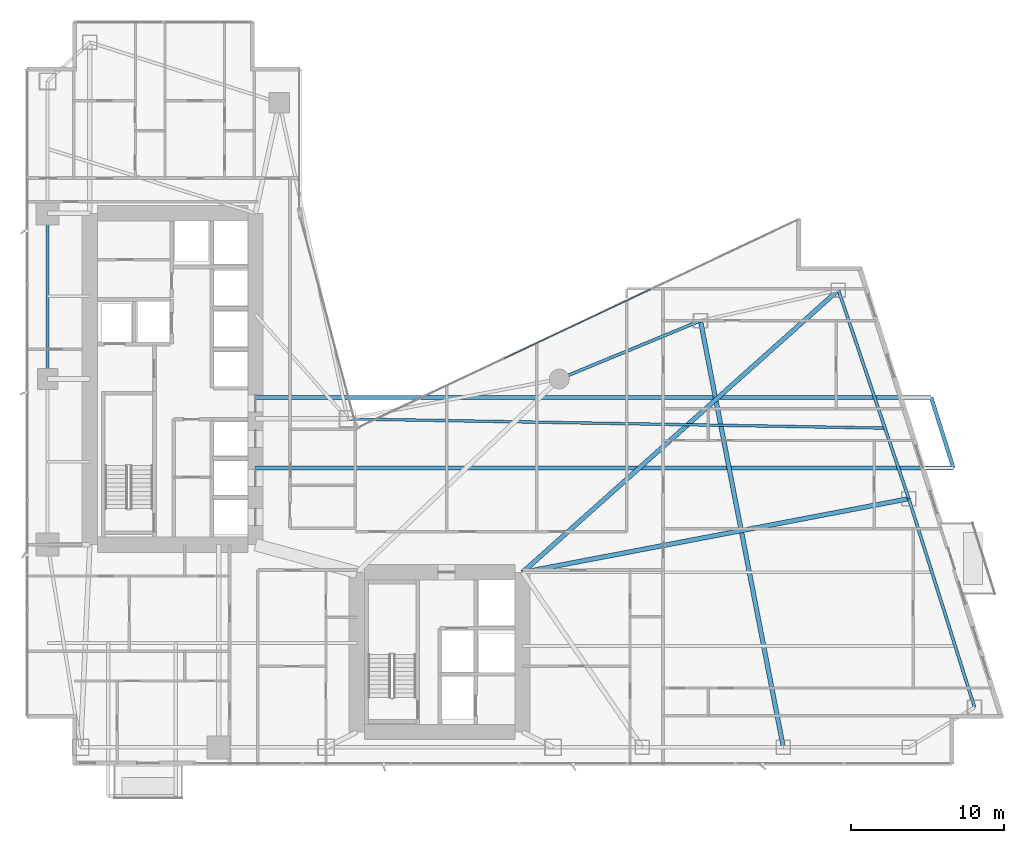
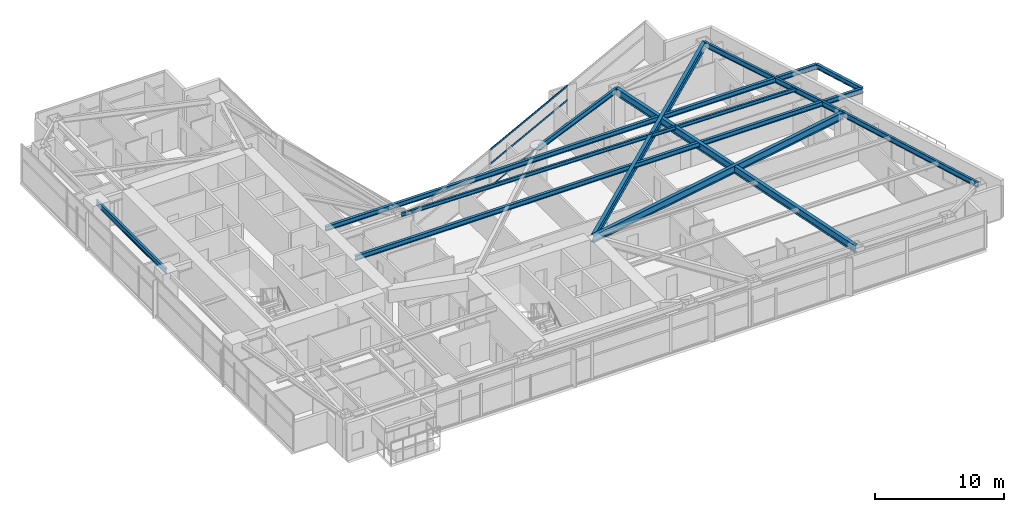
# One storey, part 15 of 29: 11 beams, 3 members, 1 element without a shape of its own.
"""IFC4 building model written with IfcOpenShell, lengths in metres."""

from ifc_helpers import new_model, si_unit, direction, frame, origin, origin_2d, place, context, subcontext, project, spatial, hollow_rectangle, i_section, extrude, material, layer, layer_set, material_profile, profile_set, type_object, element, aggregate, save


model = new_model("IFC4")

# Units and contexts
model_context = context("Model", 3, precision=1e-05, world=origin(), true_north=direction((0.0, 1.0)))
body_context = subcontext(model_context, "Body", "Model", "MODEL_VIEW")
ifc_project = project(units=[si_unit("LENGTHUNIT", "METRE"), si_unit("AREAUNIT", "SQUARE_METRE"), si_unit("VOLUMEUNIT", "CUBIC_METRE"), si_unit("PLANEANGLEUNIT", "RADIAN"), si_unit("MASSUNIT", "GRAM", prefix="KILO")], contexts=[model_context])

# Site, building, storey
site_placement = place(None, origin())
site = spatial("IfcSite", under=ifc_project, at=site_placement, CompositionType="ELEMENT")
building_placement = place(site_placement, origin())
building = spatial("IfcBuilding", under=site, at=building_placement, Name="Calvorn Quay Hotel", CompositionType="ELEMENT")
storey_placement = place(building_placement, frame((0.0, 0.0, 62.199951171875)))
storey = spatial("IfcBuildingStorey", under=building, at=storey_placement, Name="L14", CompositionType="ELEMENT", Elevation=62.199951171875)

# Beams
ifc_material_1 = material(Name="Steel Q355B", Category="steel")
ifc_material_profile_1 = material_profile(ifc_material_1, i_section(OverallWidth=0.25, OverallDepth=0.449951171875, WebThickness=0.011962890625, FlangeThickness=0.01611328125, FilletRadius=0.01611328125, at=origin_2d()), Name="HN450x250x12x16")
ifc_profile_set_1 = profile_set([ifc_material_profile_1], Name="Steel Q355B")
beam_type_1 = type_object("IfcBeamType", Name="BM-CANT-BALC", PredefinedType="BEAM", material=ifc_profile_set_1)
beam_1_placement = place(storey_placement, frame((15.0, 21.800048828125, 3.31494140625), z_axis=(1.0, 0.0, 0.0), x_axis=(0.0, 1.0, 0.0)))
element("IfcBeam", 1, at=beam_1_placement, inside=storey, type_object=beam_type_1, Name="Cantilever Balcony Beam BCB-L15-1A", PredefinedType="BEAM", context=body_context, shape_type="SweptSolid", body=[
    extrude(i_section(OverallWidth=0.25, OverallDepth=0.449951171875, WebThickness=0.011962890625, FlangeThickness=0.01611328125, FilletRadius=0.01611328125, at=origin_2d()), origin(), (0.0, 0.0, 1.0), 45.486083984375),
])
beam_2_placement = place(storey_placement, frame((15.0, 26.39990234375, 3.31494140625), z_axis=(1.0, 0.0, 0.0), x_axis=(0.0, 1.0, 0.0)))
element("IfcBeam", 2, at=beam_2_placement, inside=storey, type_object=beam_type_1, Name="Cantilever Balcony Beam BCB-L15-1B", PredefinedType="BEAM", context=body_context, shape_type="SweptSolid", body=[
    extrude(i_section(OverallWidth=0.25, OverallDepth=0.449951171875, WebThickness=0.011962890625, FlangeThickness=0.01611328125, FilletRadius=0.01611328125, at=origin_2d()), origin(), (0.0, 0.0, 1.0), 44.037109375),
])
beam_3_placement = place(storey_placement, frame((60.486083984375, 21.800048828125, 3.31494140625), z_axis=(-0.300450487966, 0.953797412599, 0.0), x_axis=(-0.953797412599, -0.300450487966, 0.0)))
element("IfcBeam", 3, at=beam_3_placement, inside=storey, type_object=beam_type_1, Name="Beam BCBO-L15-1", PredefinedType="BEAM", context=body_context, shape_type="SweptSolid", body=[
    extrude(i_section(OverallWidth=0.25, OverallDepth=0.449951171875, WebThickness=0.011962890625, FlangeThickness=0.01611328125, FilletRadius=0.01611328125, at=origin_2d()), origin(), (0.0, 0.0, 1.0), 4.82275390625),
])
ifc_material_2 = material(Name="Steel Q390GJC", Category="steel")
ifc_material_profile_2 = material_profile(ifc_material_2, i_section(OverallWidth=0.300048828125, OverallDepth=0.699951171875, WebThickness=0.012939453125, FlangeThickness=0.02392578125, FilletRadius=0.02392578125, at=origin_2d()), Name="HN700x300x13x24")
ifc_profile_set_2 = profile_set([ifc_material_profile_2], Name="Steel Q390GJC")
beam_type_2 = type_object("IfcBeamType", Name="BM-GIRD-MAIN", PredefinedType="BEAM", material=ifc_profile_set_2)
beam_4_placement = place(storey_placement, frame((32.39990234375, 15.0, 3.18994140625), z_axis=(0.982305450614, 0.18728588226, 0.0), x_axis=(-0.18728588226, 0.982305450614, 0.0)))
element("IfcBeam", 4, at=beam_4_placement, inside=storey, type_object=beam_type_2, Name="Beam BG-L14-E2", PredefinedType="BEAM", context=body_context, shape_type="SweptSolid", body=[
    extrude(i_section(OverallWidth=0.300048828125, OverallDepth=0.699951171875, WebThickness=0.012939453125, FlangeThickness=0.02392578125, FilletRadius=0.02392578125, at=origin_2d()), origin(), (0.0, 0.0, 1.0), 25.629638671875),
])
beam_5_placement = place(storey_placement, frame((32.39990234375, 15.0, 3.18994140625), z_axis=(0.745667316004, 0.666318432766, 0.0), x_axis=(-0.666318432766, 0.745667316004, 0.0)))
element("IfcBeam", 5, at=beam_5_placement, inside=storey, type_object=beam_type_2, Name="Beam BG-L14-E3", PredefinedType="BEAM", context=body_context, shape_type="SweptSolid", body=[
    extrude(i_section(OverallWidth=0.300048828125, OverallDepth=0.699951171875, WebThickness=0.012939453125, FlangeThickness=0.02392578125, FilletRadius=0.02392578125, at=origin_2d()), origin(), (0.0, 0.0, 1.0), 27.6142578125),
])
beam_6_placement = place(storey_placement, frame((49.39990234375, 3.60009765625, 3.18994140625), z_axis=(-0.190678596862, 0.981652521363, 0.0), x_axis=(-0.981652521363, -0.190678596862, 0.0)))
element("IfcBeam", 6, at=beam_6_placement, inside=storey, type_object=beam_type_2, Name="Beam BG-L14-E5", PredefinedType="BEAM", context=body_context, shape_type="SweptSolid", body=[
    extrude(i_section(OverallWidth=0.300048828125, OverallDepth=0.699951171875, WebThickness=0.012939453125, FlangeThickness=0.02392578125, FilletRadius=0.02392578125, at=origin_2d()), origin(), (0.0, 0.0, 1.0), 28.3193359375),
])
ifc_material_3 = material(Name="Steel Q355B", Category="steel")
ifc_material_profile_3 = material_profile(ifc_material_3, i_section(OverallWidth=0.175048828125, OverallDepth=0.35009765625, WebThickness=0.007080078125, FlangeThickness=0.010986328125, FilletRadius=0.013916015625, at=origin_2d()), Name="HN350x175x7x11")
ifc_profile_set_3 = profile_set([ifc_material_profile_3], Name="Steel Q355B")
beam_type_3 = type_object("IfcBeamType", Name="BM-JOIST-SEC", PredefinedType="JOIST", material=ifc_profile_set_3)
beam_7_placement = place(storey_placement, frame((21.0, 25.0, 3.364990234375), z_axis=(0.999854105858, -0.017081188436, 0.0), x_axis=(0.017081188436, 0.999854105858, 0.0)))
element("IfcBeam", 7, at=beam_7_placement, inside=storey, type_object=beam_type_3, Name="Beam BJ-L14-E3", PredefinedType="JOIST", context=body_context, shape_type="SweptSolid", body=[
    extrude(i_section(OverallWidth=0.175048828125, OverallDepth=0.35009765625, WebThickness=0.007080078125, FlangeThickness=0.010986328125, FilletRadius=0.013916015625, at=origin_2d()), origin(), (0.0, 0.0, 1.0), 35.132080078125),
])
ifc_material_4 = material(Name="Steel Q355B", Category="steel")
ifc_material_profile_4 = material_profile(ifc_material_4, i_section(OverallWidth=0.199951171875, OverallDepth=0.5, WebThickness=0.010009765625, FlangeThickness=0.01611328125, FilletRadius=0.01611328125, at=origin_2d()), Name="HN500x200x10x16")
ifc_profile_set_4 = profile_set([ifc_material_profile_4], Name="Steel Q355B")
beam_type_4 = type_object("IfcBeamType", Name="BM-SPANDREL-Z1", PredefinedType="SPANDREL", material=ifc_profile_set_4)
beam_8_placement = place(storey_placement, frame((1.449951171875, 27.60009765625, 3.2900390625), z_axis=(0.0, 1.0, 0.0), x_axis=(-1.0, 0.0, 0.0)))
element("IfcBeam", 8, at=beam_8_placement, inside=storey, type_object=beam_type_4, Name="Beam BSP-L14-W3", PredefinedType="SPANDREL", context=body_context, shape_type="SweptSolid", body=[
    extrude(i_section(OverallWidth=0.199951171875, OverallDepth=0.5, WebThickness=0.010009765625, FlangeThickness=0.01611328125, FilletRadius=0.01611328125, at=origin_2d()), origin(), (0.0, 0.0, 1.0), 10.7998046875),
])
beam_9_placement = place(storey_placement, frame((61.861083984375, 6.199951171875, 3.2900390625), z_axis=(-0.300518378216, 0.953776024208, 0.0), x_axis=(-0.953776024208, -0.300518378216, 0.0)))
element("IfcBeam", 9, at=beam_9_placement, inside=storey, type_object=beam_type_4, Name="Beam BSP-L14-E1", PredefinedType="SPANDREL", context=body_context, shape_type="SweptSolid", body=[
    extrude(i_section(OverallWidth=0.199951171875, OverallDepth=0.5, WebThickness=0.010009765625, FlangeThickness=0.01611328125, FilletRadius=0.01611328125, at=origin_2d()), origin(), (0.0, 0.0, 1.0), 14.25927734375),
])
beam_10_placement = place(storey_placement, frame((57.575927734375, 19.800048828125, 3.2900390625), z_axis=(-0.319466515944, 0.947597564998, 0.0), x_axis=(-0.947597564998, -0.319466515944, 0.0)))
element("IfcBeam", 10, at=beam_10_placement, inside=storey, type_object=beam_type_4, Name="Beam BSP-L14-E2", PredefinedType="SPANDREL", context=body_context, shape_type="SweptSolid", body=[
    extrude(i_section(OverallWidth=0.199951171875, OverallDepth=0.5, WebThickness=0.010009765625, FlangeThickness=0.01611328125, FilletRadius=0.01611328125, at=origin_2d()), origin(), (0.0, 0.0, 1.0), 14.35205078125),
])
beam_11_placement = place(storey_placement, frame((44.0, 31.39990234375, 3.2900390625), z_axis=(-0.92426763497, -0.381745123017, 0.0), x_axis=(0.381745123017, -0.92426763497, 0.0)))
element("IfcBeam", 11, at=beam_11_placement, inside=storey, type_object=beam_type_4, Name="Beam BSP-L14-E4", PredefinedType="SPANDREL", context=body_context, shape_type="SweptSolid", body=[
    extrude(i_section(OverallWidth=0.199951171875, OverallDepth=0.5, WebThickness=0.010009765625, FlangeThickness=0.01611328125, FilletRadius=0.01611328125, at=origin_2d()), origin(), (0.0, 0.0, 1.0), 9.953857421875),
])

# Curtain wall, members
ifc_material_5 = material(Name="Pale Anodised Aluminium and Low-E Glass", Category="aluminium")
ifc_layer = layer(ifc_material_5, 0.219970703125)
ifc_layer_set = layer_set([ifc_layer], Name="CW-SYS-Z1")
curtain_wall_type = type_object("IfcCurtainWallType", Name="CW-SYS-Z1", PredefinedType="NOTDEFINED", material=ifc_layer_set)
curtain_wall_placement = place(storey_placement, origin())
curtain_wall = element("IfcCurtainWall", 12, at=curtain_wall_placement, inside=storey, type_object=curtain_wall_type, Name="Inner Court Curtain Wall L14-NE1", PredefinedType="NOTDEFINED")
ifc_material_6 = material(Name="Pale Anodised Aluminium 6063-T6", Category="aluminium")
ifc_material_profile_5 = material_profile(ifc_material_6, hollow_rectangle(XDim=0.06494140625, YDim=0.1650390625, WallThickness=0.00341796875, at=origin_2d()), Name="ALU-T165x65x3.5")
ifc_profile_set_5 = profile_set([ifc_material_profile_5], Name="Pale Anodised Aluminium 6063-T6")
member_type = type_object("IfcMemberType", Name="CW-SYS-Z1-TRN", PredefinedType="USERDEFINED", material=ifc_profile_set_5)
member_1_placement = place(storey_placement, frame((40.77294921875, 33.453857421875, 0.030029296875), z_axis=(-0.904247654564, -0.427008406493, 0.0), x_axis=(0.427008406493, -0.904247654564, 0.0)))
member_1 = element("IfcMember", 13, at=member_1_placement, type_object=member_type, Name="CW-L14-NE1 transom 2.1", ObjectType="TRANSOM", PredefinedType="USERDEFINED", context=body_context, shape_type="SweptSolid", body=[
    extrude(hollow_rectangle(XDim=0.06494140625, YDim=0.1650390625, WallThickness=0.00341796875, at=origin_2d()), origin(), (0.0, 0.0, 1.0), 10.556640625),
])
member_2_placement = place(storey_placement, frame((40.77294921875, 33.453857421875, 2.199951171875), z_axis=(-0.904247654564, -0.427008406493, 0.0), x_axis=(0.427008406493, -0.904247654564, 0.0)))
member_2 = element("IfcMember", 14, at=member_2_placement, type_object=member_type, Name="CW-L14-NE1 transom 2.2", ObjectType="TRANSOM", PredefinedType="USERDEFINED", context=body_context, shape_type="SweptSolid", body=[
    extrude(hollow_rectangle(XDim=0.06494140625, YDim=0.1650390625, WallThickness=0.00341796875, at=origin_2d()), origin(), (0.0, 0.0, 1.0), 10.556640625),
])
member_3_placement = place(storey_placement, frame((40.77294921875, 33.453857421875, 3.530029296875), z_axis=(-0.904247654564, -0.427008406493, 0.0), x_axis=(0.427008406493, -0.904247654564, 0.0)))
member_3 = element("IfcMember", 15, at=member_3_placement, type_object=member_type, Name="CW-L14-NE1 transom 2.3", ObjectType="TRANSOM", PredefinedType="USERDEFINED", context=body_context, shape_type="SweptSolid", body=[
    extrude(hollow_rectangle(XDim=0.06494140625, YDim=0.1650390625, WallThickness=0.00341796875, at=origin_2d()), origin(), (0.0, 0.0, 1.0), 10.556640625),
])
aggregate(curtain_wall, [member_1, member_2, member_3])

save(model, "model.ifc")
